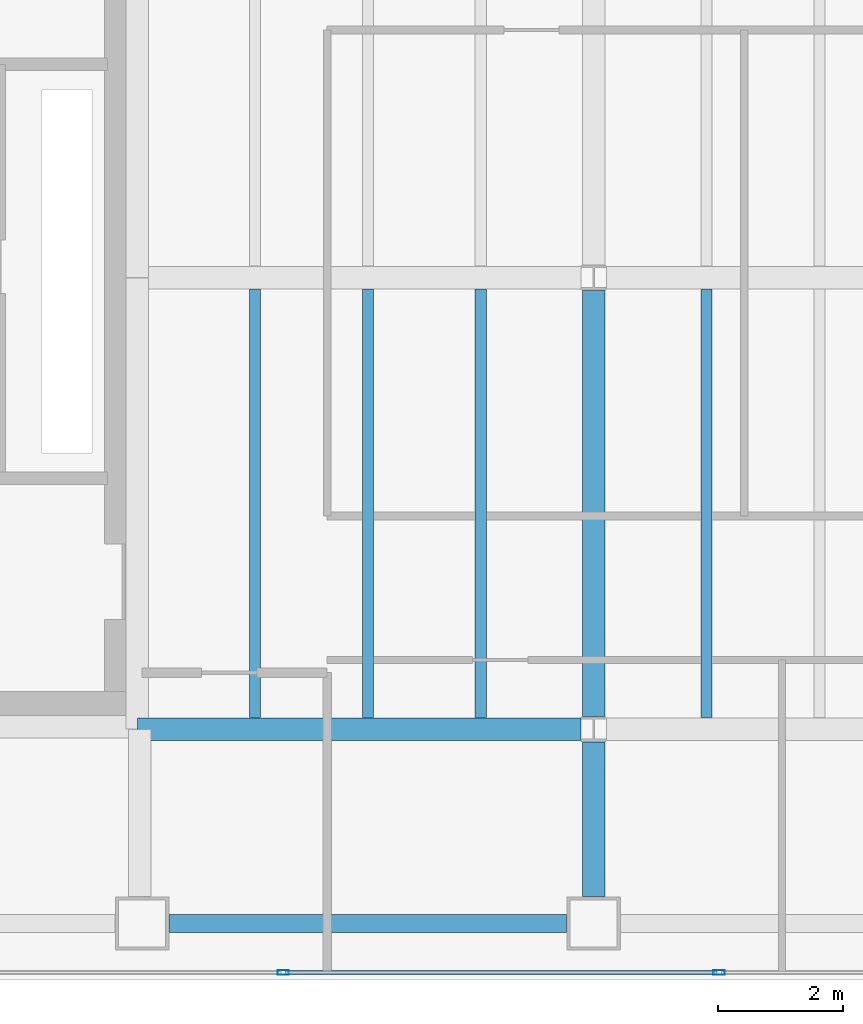
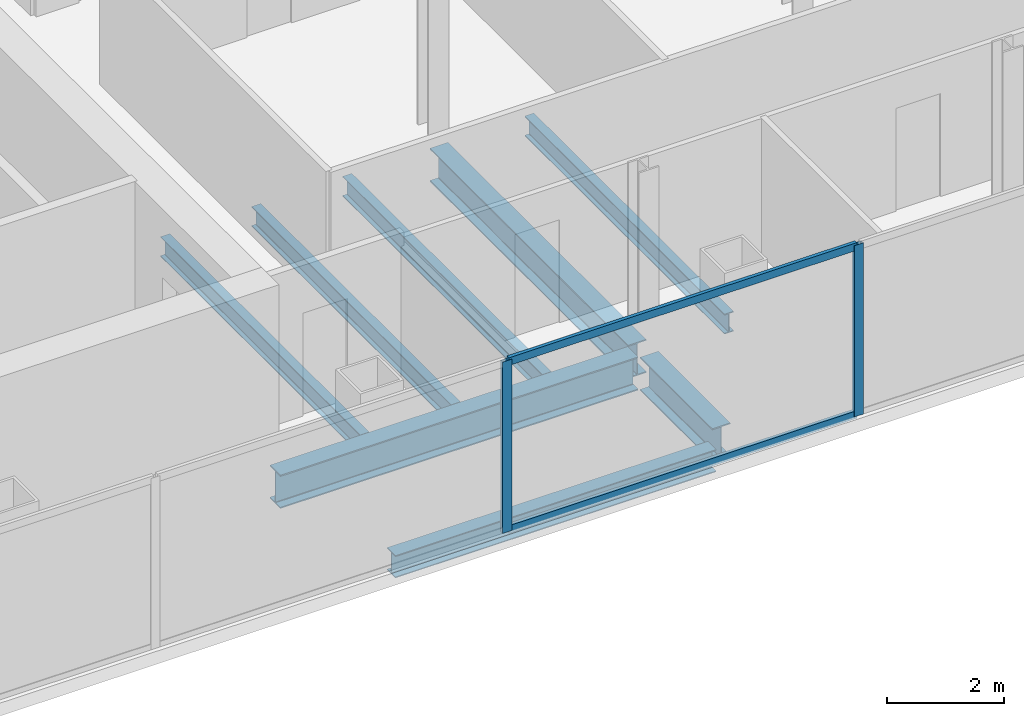
# One storey, part 4 of 24: 8 beams, 4 members, 1 element without a shape of its own.
"""IFC4 building model written with IfcOpenShell, lengths in metres."""

from ifc_helpers import new_model, si_unit, direction, frame, origin, origin_2d, place, context, subcontext, project, spatial, hollow_rectangle, i_section, extrude, material, material_profile, profile_set, type_object, element, aggregate, save


model = new_model("IFC4")

# Units and contexts
model_context = context("Model", 3, precision=1e-05, world=origin(), true_north=direction((0.0, 1.0)))
body_context = subcontext(model_context, "Body", "Model", "MODEL_VIEW")
ifc_project = project(units=[si_unit("LENGTHUNIT", "METRE"), si_unit("AREAUNIT", "SQUARE_METRE"), si_unit("VOLUMEUNIT", "CUBIC_METRE"), si_unit("PLANEANGLEUNIT", "RADIAN"), si_unit("MASSUNIT", "GRAM", prefix="KILO")], contexts=[model_context])

# Site, building, storey
site_placement = place(None, origin())
site = spatial("IfcSite", under=ifc_project, at=site_placement, CompositionType="ELEMENT")
building_placement = place(site_placement, origin())
building = spatial("IfcBuilding", under=site, at=building_placement, Name="Cobrela Telecom Tower", CompositionType="ELEMENT")
storey_placement = place(building_placement, frame((0.0, 0.0, 152.25)))
storey = spatial("IfcBuildingStorey", under=building, at=storey_placement, Name="L38", CompositionType="ELEMENT", Elevation=152.25)

# Beams
ifc_material_1 = material(Name="Steel ASTM A992 Grade 50", Category="steel")
ifc_material_profile_1 = material_profile(ifc_material_1, i_section(OverallWidth=0.35595703125, OverallDepth=0.696044921875, WebThickness=0.015380859375, FlangeThickness=0.024658203125, FilletRadius=0.01806640625, at=origin_2d()), Name="W27X146")
ifc_profile_set_1 = profile_set([ifc_material_profile_1], Name="Steel ASTM A992 Grade 50")
beam_type_1 = type_object("IfcBeamType", Name="BM-GIRD-05", PredefinedType="USERDEFINED", material=ifc_profile_set_1)
beam_1_placement = place(storey_placement, frame((14.324951171875, 7.199951171875, -0.617919921875), z_axis=(1.0, 0.0, 0.0), x_axis=(0.0, 1.0, 0.0)))
element("IfcBeam", 1, at=beam_1_placement, inside=storey, type_object=beam_type_1, Name="L38 Primary Girder X08", ObjectType="GIRDER", PredefinedType="USERDEFINED", context=body_context, shape_type="SweptSolid", body=[
    extrude(i_section(OverallWidth=0.35595703125, OverallDepth=0.696044921875, WebThickness=0.015380859375, FlangeThickness=0.024658203125, FilletRadius=0.01806640625, at=origin_2d()), origin(), (0.0, 0.0, 1.0), 7.070556640625),
])
beam_2_placement = place(storey_placement, frame((21.60009765625, 4.530029296875, -0.617919921875), z_axis=(0.0, 1.0, 0.0), x_axis=(-1.0, 0.0, 0.0)))
element("IfcBeam", 2, at=beam_2_placement, inside=storey, type_object=beam_type_1, Name="L38 Primary Girder Y39", ObjectType="GIRDER", PredefinedType="USERDEFINED", context=body_context, shape_type="SweptSolid", body=[
    extrude(i_section(OverallWidth=0.35595703125, OverallDepth=0.696044921875, WebThickness=0.015380859375, FlangeThickness=0.024658203125, FilletRadius=0.01806640625, at=origin_2d()), origin(), (0.0, 0.0, 1.0), 2.465576171875),
])
beam_3_placement = place(storey_placement, frame((21.60009765625, 7.404541015625, -0.617919921875), z_axis=(0.0, 1.0, 0.0), x_axis=(-1.0, 0.0, 0.0)))
element("IfcBeam", 3, at=beam_3_placement, inside=storey, type_object=beam_type_1, Name="L38 Primary Girder Y40", ObjectType="GIRDER", PredefinedType="USERDEFINED", context=body_context, shape_type="SweptSolid", body=[
    extrude(i_section(OverallWidth=0.35595703125, OverallDepth=0.696044921875, WebThickness=0.015380859375, FlangeThickness=0.024658203125, FilletRadius=0.01806640625, at=origin_2d()), origin(), (0.0, 0.0, 1.0), 6.791015625),
])
ifc_material_profile_2 = material_profile(ifc_material_1, i_section(OverallWidth=0.179931640625, OverallDepth=0.4169921875, WebThickness=0.010986328125, FlangeThickness=0.01806640625, FilletRadius=0.011962890625, at=origin_2d()), Name="W16X57")
ifc_profile_set_2 = profile_set([ifc_material_profile_2], Name="Steel ASTM A992 Grade 50")
beam_type_2 = type_object("IfcBeamType", Name="BM-JOIST-04", PredefinedType="JOIST", material=ifc_profile_set_2)
for number, where, z_axis, x_axis, name in (
    (4, (16.199951171875, 7.383056640625, -0.478515625), (0.0, 1.0, 0.0), (-1.0, 0.0, 0.0), "L38 Secondary Composite Floor Beam J04"),
    (5, (18.0, 7.383056640625, -0.478515625), (0.0, 1.0, 0.0), (-1.0, 0.0, 0.0), "L38 Secondary Composite Floor Beam J09"),
    (6, (19.800048828125, 7.383056640625, -0.478515625), (0.0, 1.0, 0.0), (-1.0, 0.0, 0.0), "L38 Secondary Composite Floor Beam J14"),
    (7, (23.39990234375, 7.383056640625, -0.478515625), (0.0, 1.0, 0.0), (-1.0, 0.0, 0.0), "L38 Secondary Composite Floor Beam J19"),
):
    element("IfcBeam", number, at=place(storey_placement, frame(where, z_axis=z_axis, x_axis=x_axis)), inside=storey, type_object=beam_type_2, Name=name, PredefinedType="JOIST", context=body_context, shape_type="SweptSolid", body=[
        extrude(i_section(OverallWidth=0.179931640625, OverallDepth=0.4169921875, WebThickness=0.010986328125, FlangeThickness=0.01806640625, FilletRadius=0.011962890625, at=origin_2d()), origin(), (0.0, 0.0, 1.0), 6.833984375),
    ])
ifc_material_profile_3 = material_profile(ifc_material_1, i_section(OverallWidth=0.281982421875, OverallDepth=0.467041015625, WebThickness=0.01220703125, FlangeThickness=0.01953125, FilletRadius=0.012939453125, at=origin_2d()), Name="W18X86")
ifc_profile_set_3 = profile_set([ifc_material_profile_3], Name="Steel ASTM A992 Grade 50")
beam_type_3 = type_object("IfcBeamType", Name="BM-SPAND-04", PredefinedType="SPANDREL", material=ifc_profile_set_3)
beam_4_placement = place(storey_placement, frame((14.830078125, 4.10009765625, -0.50341796875), z_axis=(1.0, 0.0, 0.0), x_axis=(0.0, 1.0, 0.0)))
element("IfcBeam", 8, at=beam_4_placement, inside=storey, type_object=beam_type_3, Name="L38 Perimeter Spandrel X02", PredefinedType="SPANDREL", context=body_context, shape_type="SweptSolid", body=[
    extrude(i_section(OverallWidth=0.281982421875, OverallDepth=0.467041015625, WebThickness=0.01220703125, FlangeThickness=0.01953125, FilletRadius=0.012939453125, at=origin_2d()), origin(), (0.0, 0.0, 1.0), 6.33984375),
])

# Curtain wall, members
ifc_material_2 = material(Name="Anodized Bronze Aluminium 6063-T6", Category="aluminium")
curtain_wall_type = type_object("IfcCurtainWallType", Name="CW-SYS-TEL", PredefinedType="USERDEFINED", material=ifc_material_2)
curtain_wall_placement = place(storey_placement, origin())
curtain_wall = element("IfcCurtainWall", 9, at=curtain_wall_placement, inside=storey, type_object=curtain_wall_type, Name="L38 Unitised Bronze Curtain Wall 17", ObjectType="UNITISED CURTAIN WALL", PredefinedType="USERDEFINED")
ifc_material_profile_4 = material_profile(ifc_material_2, hollow_rectangle(XDim=0.074951171875, YDim=0.179931640625, WallThickness=0.00390625, at=origin_2d()), Name="ALU 75x180x4")
ifc_profile_set_4 = profile_set([ifc_material_profile_4], Name="Anodized Bronze Aluminium 6063-T6")
member_type_1 = type_object("IfcMemberType", Name="CW-SYS-TEL-MUL", PredefinedType="MULLION", material=ifc_profile_set_4)
member_1_placement = place(storey_placement, frame((23.60009765625, 3.320068359375, 0.0), z_axis=(0.0, 0.0, 1.0), x_axis=(0.0, -1.0, 0.0)))
member_1 = element("IfcMember", 10, at=member_1_placement, type_object=member_type_1, Name="CW-TEL mullion 4", PredefinedType="MULLION", context=body_context, shape_type="SweptSolid", body=[
    extrude(hollow_rectangle(XDim=0.074951171875, YDim=0.179931640625, WallThickness=0.00390625, at=origin_2d()), origin(), (0.0, 0.0, 1.0), 3.580078125),
])
member_2_placement = place(storey_placement, frame((16.64990234375, 3.320068359375, 0.0), z_axis=(0.0, 0.0, 1.0), x_axis=(0.0, -1.0, 0.0)))
member_2 = element("IfcMember", 11, at=member_2_placement, type_object=member_type_1, Name="CW-TEL mullion 5", PredefinedType="MULLION", context=body_context, shape_type="SweptSolid", body=[
    extrude(hollow_rectangle(XDim=0.074951171875, YDim=0.179931640625, WallThickness=0.00390625, at=origin_2d()), origin(), (0.0, 0.0, 1.0), 3.580078125),
])
ifc_material_profile_5 = material_profile(ifc_material_2, hollow_rectangle(XDim=0.070068359375, YDim=0.159912109375, WallThickness=0.00390625, at=origin_2d()), Name="ALU 70x160x4")
ifc_profile_set_5 = profile_set([ifc_material_profile_5], Name="Anodized Bronze Aluminium 6063-T6")
member_type_2 = type_object("IfcMemberType", Name="CW-SYS-TEL-TRN", PredefinedType="USERDEFINED", material=ifc_profile_set_5)
member_3_placement = place(storey_placement, frame((23.5625, 3.320068359375, 0.034912109375), z_axis=(-1.0, 0.0, 0.0), x_axis=(0.0, -1.0, 0.0)))
member_3 = element("IfcMember", 12, at=member_3_placement, type_object=member_type_2, Name="CW-TEL transom 4.1", ObjectType="TRANSOM", PredefinedType="USERDEFINED", context=body_context, shape_type="SweptSolid", body=[
    extrude(hollow_rectangle(XDim=0.070068359375, YDim=0.159912109375, WallThickness=0.00390625, at=origin_2d()), origin(), (0.0, 0.0, 1.0), 6.875),
])
member_4_placement = place(storey_placement, frame((23.5625, 3.320068359375, 3.544921875), z_axis=(-1.0, 0.0, 0.0), x_axis=(0.0, -1.0, 0.0)))
member_4 = element("IfcMember", 13, at=member_4_placement, type_object=member_type_2, Name="CW-TEL transom 4.2", ObjectType="TRANSOM", PredefinedType="USERDEFINED", context=body_context, shape_type="SweptSolid", body=[
    extrude(hollow_rectangle(XDim=0.070068359375, YDim=0.159912109375, WallThickness=0.00390625, at=origin_2d()), origin(), (0.0, 0.0, 1.0), 6.875),
])
aggregate(curtain_wall, [member_1, member_2, member_3, member_4])

save(model, "model.ifc")
